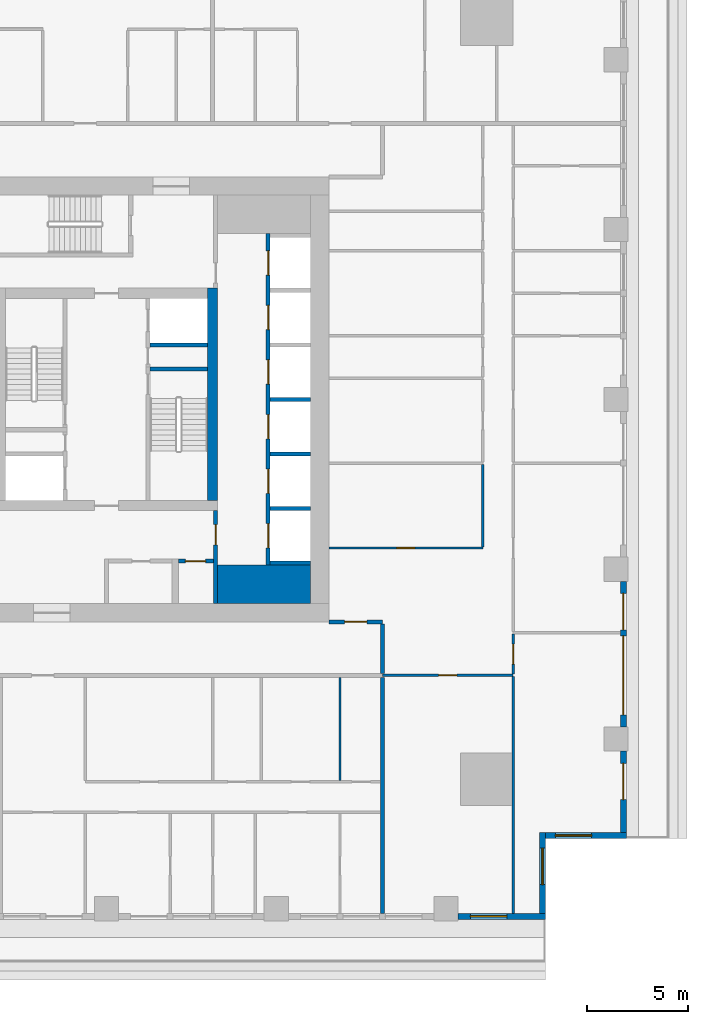
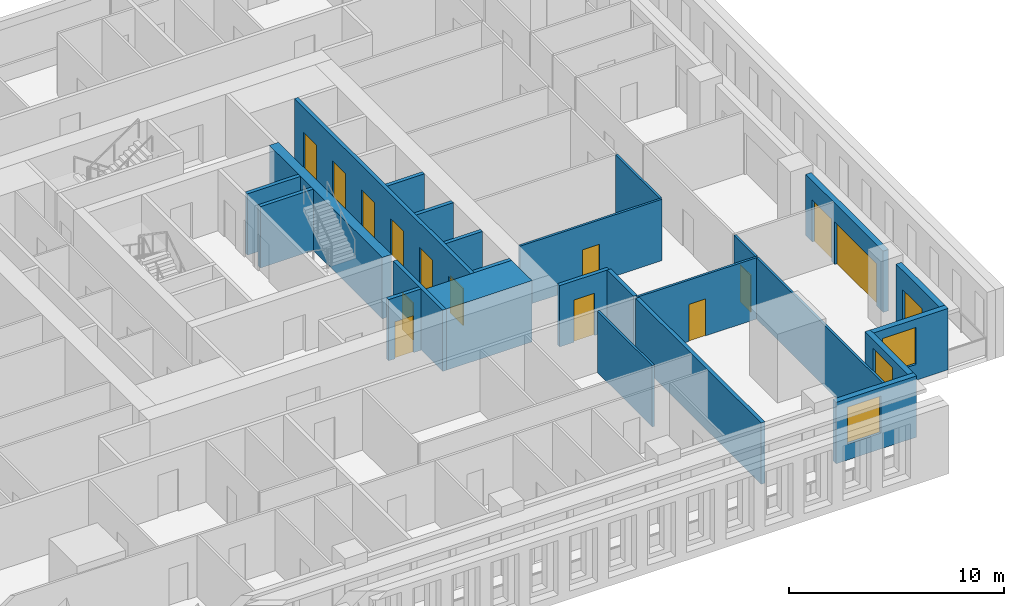
# One storey, part 5 of 15: 25 walls, 15 doors, 3 windows, 18 openings.
"""IFC4 building model written with IfcOpenShell, lengths in metres."""

import ifcopenshell
import ifcopenshell.guid

model = None  # the IFC model being written
_history = None  # IfcOwnerHistory: only IFC2X3 demands one
_inside = {}  # id of a spatial element -> (the spatial element, [elements in it])
_under = {}  # id of a project, library or spatial element -> (it, [spatial elements below it])
_declared = {}  # id of a project -> (the project, [libraries it declares])
_typed = {}  # id of a type object -> (the type object, [elements of that type])
_made_of = {}  # id of a material, layer set ... -> (it, [elements and type objects made of it])


def new_model(schema):
    """Start an empty IFC model of exactly this schema.

    Asked for "IFC4X3", IfcOpenShell would pick the latest addendum, in which some entities
    have other attributes; the version numbers below select the first issue.
    IFC2X3 requires an IfcOwnerHistory on every rooted entity: one is made here for all.
    """
    global model, _history
    if schema == "IFC4X3":
        model = ifcopenshell.file(schema_version=(4, 3, 0, 0))
    else:
        model = ifcopenshell.file(schema=schema)
    _inside.clear()
    _under.clear()
    _declared.clear()
    _typed.clear()
    _made_of.clear()
    _history = None
    if model.schema == "IFC2X3":
        org = make("IfcOrganization", Name="unknown")
        user = make(
            "IfcPersonAndOrganization",
            ThePerson=make("IfcPerson", FamilyName="unknown"),
            TheOrganization=org,
        )
        app = make(
            "IfcApplication",
            ApplicationDeveloper=org,
            Version="unknown",
            ApplicationFullName="unknown",
            ApplicationIdentifier="unknown",
        )
        _history = make(
            "IfcOwnerHistory",
            OwningUser=user,
            OwningApplication=app,
            ChangeAction="ADDED",
            CreationDate=0,
        )
    return model


def make(cls, **values):
    """One entity of the class cls with the attributes given. An attribute that is None is left unset."""
    return model.create_entity(
        cls, **{name: value for name, value in values.items() if value is not None}
    )


def rooted(cls, **values):
    """An entity with a GlobalId (a new one), such as an element, a storey or a relation."""
    return make(cls, GlobalId=ifcopenshell.guid.new(), OwnerHistory=_history, **values)


def si_unit(unit_type, name, prefix=None):
    """IfcSIUnit, for example si_unit("LENGTHUNIT", "METRE", prefix="MILLI")."""
    return make("IfcSIUnit", UnitType=unit_type, Prefix=prefix, Name=name)


def assignment(units):
    """IfcUnitAssignment: the units of a project."""
    return None if units is None else make("IfcUnitAssignment", Units=units)


def point(xyz):
    """IfcCartesianPoint."""
    return None if xyz is None else make("IfcCartesianPoint", Coordinates=xyz)


def direction(xyz):
    """IfcDirection."""
    return None if xyz is None else make("IfcDirection", DirectionRatios=xyz)


def frame(location, z_axis=None, x_axis=None):
    """IfcAxis2Placement3D, a coordinate frame: its origin and axes. An axis left out is left unset."""
    return make(
        "IfcAxis2Placement3D",
        Location=point(location),
        Axis=direction(z_axis),
        RefDirection=direction(x_axis),
    )


def frame_2d(location, x_axis=None):
    """IfcAxis2Placement2D, a coordinate frame in the plane: its origin and x axis."""
    return make(
        "IfcAxis2Placement2D", Location=point(location), RefDirection=direction(x_axis)
    )


def origin():
    """The frame at (0, 0, 0) with its axes left unset."""
    return frame((0.0, 0.0, 0.0))


def place(relative_to, where):
    """IfcLocalPlacement: puts the frame where relative to a parent placement (None: the world)."""
    return make(
        "IfcLocalPlacement", PlacementRelTo=relative_to, RelativePlacement=where
    )


def context(
    kind, dimensions, precision=None, world=None, true_north=None, identifier=None
):
    """IfcGeometricRepresentationContext, for example the 3D "Model" context."""
    return make(
        "IfcGeometricRepresentationContext",
        ContextIdentifier=identifier,
        ContextType=kind,
        CoordinateSpaceDimension=dimensions,
        Precision=precision,
        WorldCoordinateSystem=world,
        TrueNorth=true_north,
    )


def subcontext(parent, identifier, kind, view, scale=None):
    """IfcGeometricRepresentationSubContext, for example "Body" below "Model"."""
    return make(
        "IfcGeometricRepresentationSubContext",
        ContextIdentifier=identifier,
        ContextType=kind,
        ParentContext=parent,
        TargetScale=scale,
        TargetView=view,
    )


def project(units=None, contexts=None):
    """IfcProject with its units and contexts."""
    return rooted(
        "IfcProject",
        Name="project",
        RepresentationContexts=contexts,
        UnitsInContext=assignment(units),
    )


def spatial(cls, under=None, at=None, **own):
    """A site, building, storey or space (cls), placed at a placement, below another one or the project."""
    s = rooted(cls, ObjectPlacement=at, **own)
    if under is not None:
        _under.setdefault(under.id(), (under, []))[1].append(s)
    return s


def profile(cls, at=None, kind="AREA", **sizes):
    """A parametric profile (cls). Its sizes go by their IFC names, for example OverallWidth=200.0."""
    return make(cls, ProfileType=kind, Position=at, **sizes)


def rectangle(**sizes):
    """IfcRectangleProfileDef."""
    return profile("IfcRectangleProfileDef", **sizes)


def extrude(swept, where, along, depth):
    """IfcExtrudedAreaSolid: the profile swept, set in the frame where, extruded along a direction by depth."""
    return make(
        "IfcExtrudedAreaSolid",
        SweptArea=swept,
        Position=where,
        ExtrudedDirection=direction(along),
        Depth=depth,
    )


def shape(context_of_items, identifier, shape_type, items):
    """IfcShapeRepresentation: the items that make up one representation, for example the "Body"."""
    return make(
        "IfcShapeRepresentation",
        ContextOfItems=context_of_items,
        RepresentationIdentifier=identifier,
        RepresentationType=shape_type,
        Items=items,
    )


def material(Name=None, Category=None):
    """IfcMaterial."""
    return make("IfcMaterial", Name=Name, Category=Category)


def layer(
    of_material, thickness, ventilated=None, Name=None, Category=None, Priority=None
):
    """IfcMaterialLayer: one layer of a wall or slab, of a material (None: an air gap)."""
    return make(
        "IfcMaterialLayer",
        Material=of_material,
        LayerThickness=thickness,
        IsVentilated=ventilated,
        Name=Name,
        Category=Category,
        Priority=Priority,
    )


def layer_set(layers, Name=None):
    """IfcMaterialLayerSet."""
    return make("IfcMaterialLayerSet", MaterialLayers=layers, LayerSetName=Name)


def made_of(thing, what):
    """Note that an element or type object is made of a material, layer set ...; save() writes the relation."""
    if what is not None:
        _made_of.setdefault(what.id(), (what, []))[1].append(thing)
    return thing


def type_object(cls, material=None, **own):
    """A type object (cls), such as IfcWallType, which elements share."""
    return made_of(rooted(cls, **own), material)


def element(
    cls,
    number,
    at=None,
    inside=None,
    cuts=None,
    type_object=None,
    material=None,
    context=None,
    identifier="Body",
    shape_type=None,
    held_by="IfcProductDefinitionShape",
    body=None,
    shapes=None,
    **own,
):
    """One element of the class cls, such as IfcWall. Its Tag is "e" and its number.

    at: its placement. inside: the storey or other place that contains it. cuts: it is an
    opening in that element (IfcRelVoidsElement). A single representation is given by context,
    identifier, shape_type and body (its items); several are given by shapes. held_by: the class
    of the entity that holds the representations. save() writes the other relations.
    """
    e = rooted(cls, Tag="e%d" % number, ObjectPlacement=at, **own)
    if body is not None:
        shapes = [shape(context, identifier, shape_type, body)]
    if shapes is not None:
        e.Representation = make(held_by, Representations=shapes)
    if inside is not None:
        _inside.setdefault(inside.id(), (inside, []))[1].append(e)
    if cuts is not None:
        rooted(
            "IfcRelVoidsElement", RelatingBuildingElement=cuts, RelatedOpeningElement=e
        )
    if type_object is not None:
        _typed.setdefault(type_object.id(), (type_object, []))[1].append(e)
    return made_of(e, material)


def fill(opening, filler):
    """IfcRelFillsElement: the door or window that sits in an opening."""
    return rooted(
        "IfcRelFillsElement",
        RelatingOpeningElement=opening,
        RelatedBuildingElement=filler,
    )


def aggregate(whole, parts):
    """IfcRelAggregates: a whole, such as a stair, and the parts it consists of."""
    return rooted("IfcRelAggregates", RelatingObject=whole, RelatedObjects=parts)


def save(model, path):
    """Write the relations noted so far, then the file.

    IfcRelAggregates (storeys below a building ...), IfcRelContainedInSpatialStructure (elements
    in a storey), IfcRelDefinesByType, IfcRelAssociatesMaterial and IfcRelDeclares: one each for
    every whole, place, type object, material and project.
    """
    for whole, parts in _under.values():
        aggregate(whole, parts)
    for where, things in _inside.values():
        rooted(
            "IfcRelContainedInSpatialStructure",
            RelatedElements=things,
            RelatingStructure=where,
        )
    for kind, things in _typed.values():
        rooted("IfcRelDefinesByType", RelatedObjects=things, RelatingType=kind)
    for what, things in _made_of.values():
        rooted("IfcRelAssociatesMaterial", RelatedObjects=things, RelatingMaterial=what)
    for by, libraries in _declared.values():
        rooted("IfcRelDeclares", RelatingContext=by, RelatedDefinitions=libraries)
    model.write(path)


model = new_model("IFC4")

# Units and contexts
model_context = context("Model", 3, precision=1e-05, world=origin(), true_north=direction((0.0, 1.0)))
body_context = subcontext(model_context, "Body", "Model", "MODEL_VIEW")
ifc_project = project(units=[si_unit("LENGTHUNIT", "METRE"), si_unit("AREAUNIT", "SQUARE_METRE"), si_unit("VOLUMEUNIT", "CUBIC_METRE"), si_unit("PLANEANGLEUNIT", "RADIAN"), si_unit("MASSUNIT", "GRAM", prefix="KILO")], contexts=[model_context])

# Site, building, storey
site_placement = place(None, origin())
site = spatial("IfcSite", under=ifc_project, at=site_placement, CompositionType="ELEMENT")
building_placement = place(site_placement, origin())
building = spatial("IfcBuilding", under=site, at=building_placement, Name="Khepri Terraces", CompositionType="ELEMENT")
storey_placement = place(building_placement, frame((0.0, 0.0, 161.10009765625)))
storey = spatial("IfcBuildingStorey", under=building, at=storey_placement, Name="L38", CompositionType="ELEMENT", Elevation=161.10009765625)

# Walls
ifc_material_1 = material(Name="Concrete C60/75", Category="concrete")
ifc_layer_1 = layer(ifc_material_1, 1.89990234375, Name="Concrete C60/75", Category="concrete")
ifc_layer_set_1 = layer_set([ifc_layer_1], Name="Concrete C60/75")
wall_type_1 = type_object("IfcWallType", Name="Core wall 1900 C60/75", PredefinedType="SHEAR", material=ifc_layer_set_1)
wall_1_placement = place(storey_placement, frame((5.5, -9.14990234375, 0.0), z_axis=(0.0, 0.0, 1.0), x_axis=(1.0, 0.0, 0.0)))
element("IfcWall", 1, at=wall_1_placement, inside=storey, type_object=wall_type_1, Name="Core wall PR02 L38", PredefinedType="SHEAR", context=body_context, shape_type="SweptSolid", body=[
    extrude(rectangle(XDim=4.60009765625, YDim=1.89990234375, at=frame_2d((2.300048828125, 0.0))), origin(), (0.0, 0.0, 1.0), 3.47998046875),
])
ifc_layer_2 = layer(ifc_material_1, 0.199951171875, Name="Concrete C60/75", Category="concrete")
ifc_layer_set_2 = layer_set([ifc_layer_2], Name="Concrete C60/75")
wall_type_2 = type_object("IfcWallType", Name="Core wall 200 C60/75", PredefinedType="SHEAR", material=ifc_layer_set_2)
wall_2_placement = place(storey_placement, frame((2.14990234375, 1.5, 0.0), z_axis=(0.0, 0.0, 1.0), x_axis=(1.0, 0.0, 0.0)))
element("IfcWall", 2, at=wall_2_placement, inside=storey, type_object=wall_type_2, Name="Core wall ST04 L38", PredefinedType="SHEAR", context=body_context, shape_type="SweptSolid", body=[
    extrude(rectangle(XDim=2.85009765625, YDim=0.199951171875, at=frame_2d((1.425048828125, 0.0))), origin(), (0.0, 0.0, 1.0), 3.47998046875),
])

# Wall, openings, doors
wall_3_placement = place(storey_placement, frame((8.0, -8.199951171875, 0.0), z_axis=(0.0, 0.0, 1.0), x_axis=(0.0, 1.0, 0.0)))
wall_3 = element("IfcWall", 3, at=wall_3_placement, inside=storey, type_object=wall_type_2, Name="Core wall SH02 L38", PredefinedType="SHEAR", context=body_context, shape_type="SweptSolid", body=[
    extrude(rectangle(XDim=16.39990234375, YDim=0.199951171875, at=frame_2d((8.199951171875, 0.0))), origin(), (0.0, 0.0, 1.0), 3.47998046875),
])
opening_1_placement = place(wall_3_placement, frame((0.85009765625, 0.0, 0.0)))
opening_1 = element("IfcOpeningElement", 4, at=opening_1_placement, cuts=wall_3, Name="Opening L38-C01", PredefinedType="OPENING", context=body_context, shape_type="SweptSolid", body=[
    extrude(rectangle(XDim=1.199951171875, YDim=2.10009765625, at=frame_2d((0.60009765625, 1.050048828125))), frame((0.0, 0.10986328125, 0.0), z_axis=(0.0, -1.0, 0.0), x_axis=(1.0, 0.0, 0.0)), (0.0, 0.0, 1.0), 0.219970703125),
])
opening_2_placement = place(wall_3_placement, frame((3.550048828125, 0.0, 0.0)))
opening_2 = element("IfcOpeningElement", 5, at=opening_2_placement, cuts=wall_3, Name="Opening L38-C02", PredefinedType="OPENING", context=body_context, shape_type="SweptSolid", body=[
    extrude(rectangle(XDim=1.199951171875, YDim=2.10009765625, at=frame_2d((0.60009765625, 1.050048828125))), frame((0.0, 0.10986328125, 0.0), z_axis=(0.0, -1.0, 0.0), x_axis=(1.0, 0.0, 0.0)), (0.0, 0.0, 1.0), 0.219970703125),
])
opening_3_placement = place(wall_3_placement, frame((6.25, 0.0, 0.0)))
opening_3 = element("IfcOpeningElement", 6, at=opening_3_placement, cuts=wall_3, Name="Opening L38-C03", PredefinedType="OPENING", context=body_context, shape_type="SweptSolid", body=[
    extrude(rectangle(XDim=1.199951171875, YDim=2.10009765625, at=frame_2d((0.60009765625, 1.050048828125))), frame((0.0, 0.10986328125, 0.0), z_axis=(0.0, -1.0, 0.0), x_axis=(1.0, 0.0, 0.0)), (0.0, 0.0, 1.0), 0.219970703125),
])
opening_4_placement = place(wall_3_placement, frame((8.949951171875, 0.0, 0.0)))
opening_4 = element("IfcOpeningElement", 7, at=opening_4_placement, cuts=wall_3, Name="Opening L38-C04", PredefinedType="OPENING", context=body_context, shape_type="SweptSolid", body=[
    extrude(rectangle(XDim=1.199951171875, YDim=2.10009765625, at=frame_2d((0.60009765625, 1.050048828125))), frame((0.0, 0.10986328125, 0.0), z_axis=(0.0, -1.0, 0.0), x_axis=(1.0, 0.0, 0.0)), (0.0, 0.0, 1.0), 0.219970703125),
])
opening_5_placement = place(wall_3_placement, frame((11.64990234375, 0.0, 0.0)))
opening_5 = element("IfcOpeningElement", 8, at=opening_5_placement, cuts=wall_3, Name="Opening L38-C05", PredefinedType="OPENING", context=body_context, shape_type="SweptSolid", body=[
    extrude(rectangle(XDim=1.199951171875, YDim=2.10009765625, at=frame_2d((0.60009765625, 1.050048828125))), frame((0.0, 0.10986328125, 0.0), z_axis=(0.0, -1.0, 0.0), x_axis=(1.0, 0.0, 0.0)), (0.0, 0.0, 1.0), 0.219970703125),
])
opening_6_placement = place(wall_3_placement, frame((14.35009765625, 0.0, 0.0)))
opening_6 = element("IfcOpeningElement", 9, at=opening_6_placement, cuts=wall_3, Name="Opening L38-C06", PredefinedType="OPENING", context=body_context, shape_type="SweptSolid", body=[
    extrude(rectangle(XDim=1.199951171875, YDim=2.10009765625, at=frame_2d((0.60009765625, 1.050048828125))), frame((0.0, 0.10986328125, 0.0), z_axis=(0.0, -1.0, 0.0), x_axis=(1.0, 0.0, 0.0)), (0.0, 0.0, 1.0), 0.219970703125),
])
ifc_material_2 = material(Name="Stainless steel 304", Category="steel")
door_type_1 = type_object("IfcDoorType", Name="DR-CORE-LANDING-1200", OperationType="NOTDEFINED", PredefinedType="DOOR", material=ifc_material_2)
door_1_placement = place(opening_1_placement, origin())
door_1 = element("IfcDoor", 10, at=door_1_placement, inside=storey, type_object=door_type_1, Name="Lift landing door L38-C01", OperationType="SLIDING_TO_LEFT", OverallHeight=2.10009765625, OverallWidth=1.199951171875, PredefinedType="DOOR", context=body_context, shape_type="SweptSolid", body=[
    extrude(rectangle(XDim=1.199951171875, YDim=2.10009765625, at=frame_2d((0.60009765625, 1.050048828125))), frame((0.0, 0.02490234375, 0.0), z_axis=(0.0, -1.0, 0.0), x_axis=(1.0, 0.0, 0.0)), (0.0, 0.0, 1.0), 0.050048828125),
])
fill(opening_1, door_1)
door_2_placement = place(opening_2_placement, origin())
door_2 = element("IfcDoor", 11, at=door_2_placement, inside=storey, type_object=door_type_1, Name="Lift landing door L38-C02", OperationType="SLIDING_TO_LEFT", OverallHeight=2.10009765625, OverallWidth=1.199951171875, PredefinedType="DOOR", context=body_context, shape_type="SweptSolid", body=[
    extrude(rectangle(XDim=1.199951171875, YDim=2.10009765625, at=frame_2d((0.60009765625, 1.050048828125))), frame((0.0, 0.02490234375, 0.0), z_axis=(0.0, -1.0, 0.0), x_axis=(1.0, 0.0, 0.0)), (0.0, 0.0, 1.0), 0.050048828125),
])
fill(opening_2, door_2)
door_3_placement = place(opening_3_placement, origin())
door_3 = element("IfcDoor", 12, at=door_3_placement, inside=storey, type_object=door_type_1, Name="Lift landing door L38-C03", OperationType="SLIDING_TO_LEFT", OverallHeight=2.10009765625, OverallWidth=1.199951171875, PredefinedType="DOOR", context=body_context, shape_type="SweptSolid", body=[
    extrude(rectangle(XDim=1.199951171875, YDim=2.10009765625, at=frame_2d((0.60009765625, 1.050048828125))), frame((0.0, 0.02490234375, 0.0), z_axis=(0.0, -1.0, 0.0), x_axis=(1.0, 0.0, 0.0)), (0.0, 0.0, 1.0), 0.050048828125),
])
fill(opening_3, door_3)
door_4_placement = place(opening_4_placement, origin())
door_4 = element("IfcDoor", 13, at=door_4_placement, inside=storey, type_object=door_type_1, Name="Lift landing door L38-C04", OperationType="SLIDING_TO_LEFT", OverallHeight=2.10009765625, OverallWidth=1.199951171875, PredefinedType="DOOR", context=body_context, shape_type="SweptSolid", body=[
    extrude(rectangle(XDim=1.199951171875, YDim=2.10009765625, at=frame_2d((0.60009765625, 1.050048828125))), frame((0.0, 0.02490234375, 0.0), z_axis=(0.0, -1.0, 0.0), x_axis=(1.0, 0.0, 0.0)), (0.0, 0.0, 1.0), 0.050048828125),
])
fill(opening_4, door_4)
door_5_placement = place(opening_5_placement, origin())
door_5 = element("IfcDoor", 14, at=door_5_placement, inside=storey, type_object=door_type_1, Name="Lift landing door L38-C05", OperationType="SLIDING_TO_LEFT", OverallHeight=2.10009765625, OverallWidth=1.199951171875, PredefinedType="DOOR", context=body_context, shape_type="SweptSolid", body=[
    extrude(rectangle(XDim=1.199951171875, YDim=2.10009765625, at=frame_2d((0.60009765625, 1.050048828125))), frame((0.0, 0.02490234375, 0.0), z_axis=(0.0, -1.0, 0.0), x_axis=(1.0, 0.0, 0.0)), (0.0, 0.0, 1.0), 0.050048828125),
])
fill(opening_5, door_5)
door_6_placement = place(opening_6_placement, origin())
door_6 = element("IfcDoor", 15, at=door_6_placement, inside=storey, type_object=door_type_1, Name="Lift landing door L38-C06", OperationType="SLIDING_TO_LEFT", OverallHeight=2.10009765625, OverallWidth=1.199951171875, PredefinedType="DOOR", context=body_context, shape_type="SweptSolid", body=[
    extrude(rectangle(XDim=1.199951171875, YDim=2.10009765625, at=frame_2d((0.60009765625, 1.050048828125))), frame((0.0, 0.02490234375, 0.0), z_axis=(0.0, -1.0, 0.0), x_axis=(1.0, 0.0, 0.0)), (0.0, 0.0, 1.0), 0.050048828125),
])
fill(opening_6, door_6)

# Walls
for number, where, z_axis, x_axis, name in (
    (16, (8.10009765625, -8.10009765625, 0.0), (0.0, 0.0, 1.0), (1.0, 0.0, 0.0), "Core wall SH03 L38"),
    (17, (8.10009765625, -5.39990234375, 0.0), (0.0, 0.0, 1.0), (1.0, 0.0, 0.0), "Core wall SH04 L38"),
    (18, (8.10009765625, -2.699951171875, 0.0), (0.0, 0.0, 1.0), (1.0, 0.0, 0.0), "Core wall SH08 L38"),
    (19, (8.10009765625, 0.0, 0.0), (0.0, 0.0, 1.0), (1.0, 0.0, 0.0), "Core wall SH09 L38"),
):
    element("IfcWall", number, at=place(storey_placement, frame(where, z_axis=z_axis, x_axis=x_axis)), inside=storey, type_object=wall_type_2, Name=name, PredefinedType="SHEAR", context=body_context, shape_type="SweptSolid", body=[
        extrude(rectangle(XDim=2.0, YDim=0.199951171875, at=frame_2d((1.0, 0.0))), origin(), (0.0, 0.0, 1.0), 3.47998046875),
    ])
wall_4_placement = place(storey_placement, frame((2.14990234375, 2.699951171875, 0.0), z_axis=(0.0, 0.0, 1.0), x_axis=(1.0, 0.0, 0.0)))
element("IfcWall", 20, at=wall_4_placement, inside=storey, type_object=wall_type_2, Name="Core wall SH12 L38", PredefinedType="SHEAR", context=body_context, shape_type="SweptSolid", body=[
    extrude(rectangle(XDim=2.85009765625, YDim=0.199951171875, at=frame_2d((1.425048828125, 0.0))), origin(), (0.0, 0.0, 1.0), 3.47998046875),
])
ifc_layer_3 = layer(ifc_material_1, 0.5, Name="Concrete C60/75", Category="concrete")
ifc_layer_set_3 = layer_set([ifc_layer_3], Name="Concrete C60/75")
wall_type_3 = type_object("IfcWallType", Name="Core wall 500 C60/75", PredefinedType="SHEAR", material=ifc_layer_set_3)
wall_5_placement = place(storey_placement, frame((5.25, -5.0, 0.0), z_axis=(0.0, 0.0, 1.0), x_axis=(0.0, 1.0, 0.0)))
element("IfcWall", 21, at=wall_5_placement, inside=storey, type_object=wall_type_3, Name="Core wall BX03 L38", PredefinedType="SHEAR", context=body_context, shape_type="SweptSolid", body=[
    extrude(rectangle(XDim=10.5, YDim=0.5, at=frame_2d((5.25, 0.0))), origin(), (0.0, 0.0, 1.0), 3.47998046875),
])

# Wall, opening, door
ifc_material_3 = material(Name="Fire-rated gypsum board partition")
ifc_layer_4 = layer(ifc_material_3, 0.199951171875, Name="Fire-rated gypsum board partition")
ifc_layer_set_4 = layer_set([ifc_layer_4], Name="Fire-rated gypsum board partition")
wall_type_4 = type_object("IfcWallType", Name="WL-CORE-PART-200", PredefinedType="PARTITIONING", material=ifc_layer_set_4)
wall_6_placement = place(storey_placement, frame((5.39990234375, -10.10009765625, 0.0), z_axis=(0.0, 0.0, 1.0), x_axis=(0.0, 1.0, 0.0)))
wall_6 = element("IfcWall", 22, at=wall_6_placement, inside=storey, type_object=wall_type_4, Name="Core partition PT04 L38", PredefinedType="PARTITIONING", context=body_context, shape_type="SweptSolid", body=[
    extrude(rectangle(XDim=4.60009765625, YDim=0.199951171875, at=frame_2d((2.300048828125, 0.0))), origin(), (0.0, 0.0, 1.0), 3.47998046875),
])
opening_7_placement = place(wall_6_placement, frame((2.89990234375, 0.0, 0.0)))
opening_7 = element("IfcOpeningElement", 23, at=opening_7_placement, cuts=wall_6, Name="Opening L38-C19", PredefinedType="OPENING", context=body_context, shape_type="SweptSolid", body=[
    extrude(rectangle(XDim=1.0, YDim=2.10009765625, at=frame_2d((0.5, 1.050048828125))), frame((0.0, 0.10986328125, 0.0), z_axis=(0.0, -1.0, 0.0), x_axis=(1.0, 0.0, 0.0)), (0.0, 0.0, 1.0), 0.219970703125),
])
ifc_material_4 = material(Name="Painted steel", Category="steel")
door_type_2 = type_object("IfcDoorType", Name="DR-CORE-LOBBY-1000", OperationType="NOTDEFINED", PredefinedType="DOOR", material=ifc_material_4)
door_7_placement = place(opening_7_placement, origin())
door_7 = element("IfcDoor", 24, at=door_7_placement, inside=storey, type_object=door_type_2, Name="Lobby door L38-C19", OperationType="SINGLE_SWING_RIGHT", OverallHeight=2.10009765625, OverallWidth=1.0, PredefinedType="DOOR", context=body_context, shape_type="SweptSolid", body=[
    extrude(rectangle(XDim=1.0, YDim=2.10009765625, at=frame_2d((0.5, 1.050048828125))), frame((0.0, 0.02490234375, 0.0), z_axis=(0.0, -1.0, 0.0), x_axis=(1.0, 0.0, 0.0)), (0.0, 0.0, 1.0), 0.050048828125),
])
fill(opening_7, door_7)

wall_7_placement = place(storey_placement, frame((3.550048828125, -8.0, 0.0), z_axis=(0.0, 0.0, 1.0), x_axis=(1.0, 0.0, 0.0)))
wall_7 = element("IfcWall", 25, at=wall_7_placement, inside=storey, type_object=wall_type_4, Name="Core partition PT07 L38", PredefinedType="PARTITIONING", context=body_context, shape_type="SweptSolid", body=[
    extrude(rectangle(XDim=1.75, YDim=0.199951171875, at=frame_2d((0.875, 0.0))), origin(), (0.0, 0.0, 1.0), 3.47998046875),
])
opening_8_placement = place(wall_7_placement, frame((0.35009765625, 0.0, 0.0)))
opening_8 = element("IfcOpeningElement", 26, at=opening_8_placement, cuts=wall_7, Name="Opening L38-C23", PredefinedType="OPENING", context=body_context, shape_type="SweptSolid", body=[
    extrude(rectangle(XDim=1.0, YDim=2.10009765625, at=frame_2d((0.5, 1.050048828125))), frame((0.0, 0.10986328125, 0.0), z_axis=(0.0, -1.0, 0.0), x_axis=(1.0, 0.0, 0.0)), (0.0, 0.0, 1.0), 0.219970703125),
])
ifc_material_5 = material(Name="Timber veneer", Category="wood")
door_type_3 = type_object("IfcDoorType", Name="DR-CORE-WC-1000", OperationType="NOTDEFINED", PredefinedType="DOOR", material=ifc_material_5)
door_8_placement = place(opening_8_placement, frame((1.0, 0.0, 0.0), z_axis=(0.0, 0.0, 1.0), x_axis=(-1.0, 0.0, 0.0)))
door_8 = element("IfcDoor", 27, at=door_8_placement, inside=storey, type_object=door_type_3, Name="WC door L38-C23", OperationType="SINGLE_SWING_RIGHT", OverallHeight=2.10009765625, OverallWidth=1.0, PredefinedType="DOOR", context=body_context, shape_type="SweptSolid", body=[
    extrude(rectangle(XDim=1.0, YDim=2.10009765625, at=frame_2d((0.5, 1.050048828125))), frame((0.0, 0.02490234375, 0.0), z_axis=(0.0, -1.0, 0.0), x_axis=(1.0, 0.0, 0.0)), (0.0, 0.0, 1.0), 0.050048828125),
])
fill(opening_8, door_8)

# Walls
ifc_material_6 = material(Name="Fire-rated gypsum plasterboard partition, mineral wool")
ifc_layer_5 = layer(ifc_material_6, 0.199951171875, Name="Fire-rated gypsum plasterboard partition, mineral wool")
ifc_layer_set_5 = layer_set([ifc_layer_5], Name="Fire-rated gypsum plasterboard partition, mineral wool")
wall_type_5 = type_object("IfcWallType", Name="WL-CORR-200", PredefinedType="PARTITIONING", material=ifc_layer_set_5)
wall_8_placement = place(storey_placement, frame((13.64990234375, -25.419921875, 0.0), z_axis=(0.0, 0.0, 1.0), x_axis=(0.0, 1.0, 0.0)))
element("IfcWall", 28, at=wall_8_placement, inside=storey, type_object=wall_type_5, Name="Partition P-010 L38", PredefinedType="PARTITIONING", context=body_context, shape_type="SweptSolid", body=[
    extrude(rectangle(XDim=11.669921875, YDim=0.199951171875, at=frame_2d((5.8349609375, 0.0))), origin(), (0.0, 0.0, 1.0), 3.47998046875),
])
wall_9_placement = place(storey_placement, frame((13.64990234375, -13.550048828125, 0.0), z_axis=(0.0, 0.0, 1.0), x_axis=(0.0, 1.0, 0.0)))
element("IfcWall", 29, at=wall_9_placement, inside=storey, type_object=wall_type_5, Name="Partition P-029 L38", PredefinedType="PARTITIONING", context=body_context, shape_type="SweptSolid", body=[
    extrude(rectangle(XDim=2.449951171875, YDim=0.199951171875, at=frame_2d((1.22509765625, 0.0))), origin(), (0.0, 0.0, 1.0), 3.47998046875),
])

# Wall, opening, door
wall_10_placement = place(storey_placement, frame((11.0, -11.0, 0.0), z_axis=(0.0, 0.0, 1.0), x_axis=(1.0, 0.0, 0.0)))
wall_10 = element("IfcWall", 30, at=wall_10_placement, inside=storey, type_object=wall_type_5, Name="Partition P-035 L38", PredefinedType="PARTITIONING", context=body_context, shape_type="SweptSolid", body=[
    extrude(rectangle(XDim=2.64990234375, YDim=0.199951171875, at=frame_2d((1.324951171875, 0.0))), origin(), (0.0, 0.0, 1.0), 3.47998046875),
])
opening_9_placement = place(wall_10_placement, frame((0.77490234375, 0.0, 0.0)))
opening_9 = element("IfcOpeningElement", 31, at=opening_9_placement, cuts=wall_10, Name="Opening D1", PredefinedType="OPENING", context=body_context, shape_type="SweptSolid", body=[
    extrude(rectangle(XDim=1.10009765625, YDim=2.39990234375, at=frame_2d((0.550048828125, 1.199951171875))), frame((0.0, 0.10986328125, 0.0), z_axis=(0.0, -1.0, 0.0), x_axis=(1.0, 0.0, 0.0)), (0.0, 0.0, 1.0), 0.219970703125),
])
ifc_material_7 = material(Name="Solid-core timber door leaf, flat entrance door", Category="wood")
door_type_4 = type_object("IfcDoorType", Name="DR-ENT-1100", OperationType="NOTDEFINED", PredefinedType="DOOR", material=ifc_material_7)
door_9_placement = place(opening_9_placement, origin())
door_9 = element("IfcDoor", 32, at=door_9_placement, inside=storey, type_object=door_type_4, Name="Flat B1 entrance door", OperationType="SINGLE_SWING_LEFT", OverallHeight=2.39990234375, OverallWidth=1.10009765625, PredefinedType="DOOR", context=body_context, shape_type="SweptSolid", body=[
    extrude(rectangle(XDim=1.10009765625, YDim=2.39990234375, at=frame_2d((0.550048828125, 1.199951171875))), frame((0.0, 0.02490234375, 0.0), z_axis=(0.0, -1.0, 0.0), x_axis=(1.0, 0.0, 0.0)), (0.0, 0.0, 1.0), 0.050048828125),
])
fill(opening_9, door_9)

# Wall, opening, window
ifc_material_8 = material(Name="Precast concrete C50/60 warm stone", Category="masonry")
ifc_layer_6 = layer(ifc_material_8, 0.300048828125, Name="Precast concrete C50/60 warm stone", Category="masonry")
ifc_layer_set_6 = layer_set([ifc_layer_6], Name="Precast concrete C50/60 warm stone")
wall_type_6 = type_object("IfcWallType", Name="WL-EXT-PRECAST-300", PredefinedType="STANDARD", material=ifc_layer_set_6)
wall_11_placement = place(storey_placement, frame((21.719970703125, -21.570068359375, 0.0), z_axis=(0.0, 0.0, 1.0), x_axis=(1.0, 0.0, 0.0)))
wall_11 = element("IfcWall", 33, at=wall_11_placement, inside=storey, type_object=wall_type_6, Name="External wall L38 S", PredefinedType="STANDARD", context=body_context, shape_type="SweptSolid", body=[
    extrude(rectangle(XDim=4.0, YDim=0.300048828125, at=frame_2d((2.0, 0.0))), origin(), (0.0, 0.0, 1.0), 3.47998046875),
])
opening_10_placement = place(wall_11_placement, frame((0.47998046875, 0.0, 0.89990234375)))
opening_10 = element("IfcOpeningElement", 34, at=opening_10_placement, cuts=wall_11, Name="Opening W1", PredefinedType="OPENING", context=body_context, shape_type="SweptSolid", body=[
    extrude(rectangle(XDim=1.800048828125, YDim=2.10009765625, at=frame_2d((0.89990234375, 1.050048828125))), frame((0.0, 0.16015625, 0.0), z_axis=(0.0, -1.0, 0.0), x_axis=(1.0, 0.0, 0.0)), (0.0, 0.0, 1.0), 0.320068359375),
])
ifc_material_9 = material(Name="Clear glass", Category="glass")
window_type = type_object("IfcWindowType", Name="WIN-RES-1800x2100", PartitioningType="SINGLE_PANEL", PredefinedType="WINDOW", material=ifc_material_9)
window_1_placement = place(opening_10_placement, origin())
window_1 = element("IfcWindow", 35, at=window_1_placement, inside=storey, type_object=window_type, Name="Window L38 S", OverallHeight=2.10009765625, OverallWidth=1.800048828125, PartitioningType="SINGLE_PANEL", PredefinedType="WINDOW", context=body_context, shape_type="SweptSolid", body=[
    extrude(rectangle(XDim=1.800048828125, YDim=2.10009765625, at=frame_2d((0.89990234375, 1.050048828125))), frame((0.0, 0.030029296875, 0.0), z_axis=(0.0, -1.0, 0.0), x_axis=(1.0, 0.0, 0.0)), (0.0, 0.0, 1.0), 0.06005859375),
])
fill(opening_10, window_1)

# Wall, opening, door
wall_12_placement = place(storey_placement, frame((25.570068359375, -21.419921875, 0.0), z_axis=(0.0, 0.0, 1.0), x_axis=(0.0, 1.0, 0.0)))
wall_12 = element("IfcWall", 36, at=wall_12_placement, inside=storey, type_object=wall_type_6, Name="External wall L38 E", PredefinedType="STANDARD", context=body_context, shape_type="SweptSolid", body=[
    extrude(rectangle(XDim=4.02001953125, YDim=0.300048828125, at=frame_2d((2.010009765625, 0.0))), origin(), (0.0, 0.0, 1.0), 3.47998046875),
])
opening_11_placement = place(wall_12_placement, frame((1.6201171875, 0.0, 0.0)))
opening_11 = element("IfcOpeningElement", 37, at=opening_11_placement, cuts=wall_12, Name="Opening ED-L38-01", PredefinedType="OPENING", context=body_context, shape_type="SweptSolid", body=[
    extrude(rectangle(XDim=1.800048828125, YDim=2.39990234375, at=frame_2d((0.89990234375, 1.199951171875))), frame((0.0, 0.16015625, 0.0), z_axis=(0.0, -1.0, 0.0), x_axis=(1.0, 0.0, 0.0)), (0.0, 0.0, 1.0), 0.320068359375),
])
ifc_material_10 = material(Name="Anodised aluminium bronze glazed door", Category="aluminium")
door_type_5 = type_object("IfcDoorType", Name="DR-BAL-SLIDE-1800x2400", OperationType="NOTDEFINED", PredefinedType="DOOR", material=ifc_material_10)
door_10_placement = place(opening_11_placement, origin())
door_10 = element("IfcDoor", 38, at=door_10_placement, inside=storey, type_object=door_type_5, Name="Balcony door L38 E", OperationType="SLIDING_TO_RIGHT", OverallHeight=2.39990234375, OverallWidth=1.800048828125, PredefinedType="DOOR", context=body_context, shape_type="SweptSolid", body=[
    extrude(rectangle(XDim=1.800048828125, YDim=2.39990234375, at=frame_2d((0.89990234375, 1.199951171875))), frame((0.0, 0.02490234375, 0.0), z_axis=(0.0, -1.0, 0.0), x_axis=(1.0, 0.0, 0.0)), (0.0, 0.0, 1.0), 0.050048828125),
])
fill(opening_11, door_10)

# Wall, openings, doors
wall_13_placement = place(storey_placement, frame((25.570068359375, -16.199951171875, 0.0), z_axis=(0.0, 0.0, 1.0), x_axis=(0.0, 1.0, 0.0)))
wall_13 = element("IfcWall", 39, at=wall_13_placement, inside=storey, type_object=wall_type_6, Name="External wall L38 E", PredefinedType="STANDARD", context=body_context, shape_type="SweptSolid", body=[
    extrude(rectangle(XDim=7.199951171875, YDim=0.300048828125, at=frame_2d((3.60009765625, 0.0))), origin(), (0.0, 0.0, 1.0), 3.47998046875),
])
opening_12_placement = place(wall_13_placement, frame((0.60009765625, 0.0, 0.0)))
opening_12 = element("IfcOpeningElement", 40, at=opening_12_placement, cuts=wall_13, Name="Opening ED-L38-02", PredefinedType="OPENING", context=body_context, shape_type="SweptSolid", body=[
    extrude(rectangle(XDim=3.89990234375, YDim=2.39990234375, at=frame_2d((1.949951171875, 1.199951171875))), frame((0.0, 0.16015625, 0.0), z_axis=(0.0, -1.0, 0.0), x_axis=(1.0, 0.0, 0.0)), (0.0, 0.0, 1.0), 0.320068359375),
])
opening_13_placement = place(wall_13_placement, frame((4.800048828125, 0.0, 0.0)))
opening_13 = element("IfcOpeningElement", 41, at=opening_13_placement, cuts=wall_13, Name="Opening ED-L38-03", PredefinedType="OPENING", context=body_context, shape_type="SweptSolid", body=[
    extrude(rectangle(XDim=1.800048828125, YDim=2.39990234375, at=frame_2d((0.89990234375, 1.199951171875))), frame((0.0, 0.16015625, 0.0), z_axis=(0.0, -1.0, 0.0), x_axis=(1.0, 0.0, 0.0)), (0.0, 0.0, 1.0), 0.320068359375),
])
door_11_placement = place(opening_13_placement, origin())
door_11 = element("IfcDoor", 42, at=door_11_placement, inside=storey, type_object=door_type_5, Name="Balcony door L38 E", OperationType="SLIDING_TO_RIGHT", OverallHeight=2.39990234375, OverallWidth=1.800048828125, PredefinedType="DOOR", context=body_context, shape_type="SweptSolid", body=[
    extrude(rectangle(XDim=1.800048828125, YDim=2.39990234375, at=frame_2d((0.89990234375, 1.199951171875))), frame((0.0, 0.02490234375, 0.0), z_axis=(0.0, -1.0, 0.0), x_axis=(1.0, 0.0, 0.0)), (0.0, 0.0, 1.0), 0.050048828125),
])
fill(opening_13, door_11)
door_type_6 = type_object("IfcDoorType", Name="DR-BAL-SLIDE-3900x2400", OperationType="NOTDEFINED", PredefinedType="DOOR", material=ifc_material_10)
door_12_placement = place(opening_12_placement, origin())
door_12 = element("IfcDoor", 43, at=door_12_placement, inside=storey, type_object=door_type_6, Name="Balcony door L38 E", OperationType="SLIDING_TO_LEFT", OverallHeight=2.39990234375, OverallWidth=3.89990234375, PredefinedType="DOOR", context=body_context, shape_type="SweptSolid", body=[
    extrude(rectangle(XDim=3.89990234375, YDim=2.39990234375, at=frame_2d((1.949951171875, 1.199951171875))), frame((0.0, 0.02490234375, 0.0), z_axis=(0.0, -1.0, 0.0), x_axis=(1.0, 0.0, 0.0)), (0.0, 0.0, 1.0), 0.050048828125),
])
fill(opening_12, door_12)

# Wall, opening, window
wall_14_placement = place(storey_placement, frame((17.39990234375, -25.570068359375, 0.0), z_axis=(0.0, 0.0, 1.0), x_axis=(1.0, 0.0, 0.0)))
wall_14 = element("IfcWall", 44, at=wall_14_placement, inside=storey, type_object=wall_type_6, Name="External wall L38 S", PredefinedType="STANDARD", context=body_context, shape_type="SweptSolid", body=[
    extrude(rectangle(XDim=4.320068359375, YDim=0.300048828125, at=frame_2d((2.16015625, 0.0))), origin(), (0.0, 0.0, 1.0), 3.47998046875),
])
opening_14_placement = place(wall_14_placement, frame((0.60009765625, 0.0, 0.89990234375)))
opening_14 = element("IfcOpeningElement", 45, at=opening_14_placement, cuts=wall_14, Name="Opening W1", PredefinedType="OPENING", context=body_context, shape_type="SweptSolid", body=[
    extrude(rectangle(XDim=1.800048828125, YDim=2.10009765625, at=frame_2d((0.89990234375, 1.050048828125))), frame((0.0, 0.16015625, 0.0), z_axis=(0.0, -1.0, 0.0), x_axis=(1.0, 0.0, 0.0)), (0.0, 0.0, 1.0), 0.320068359375),
])
window_2_placement = place(opening_14_placement, origin())
window_2 = element("IfcWindow", 46, at=window_2_placement, inside=storey, type_object=window_type, Name="Window L38 S", OverallHeight=2.10009765625, OverallWidth=1.800048828125, PartitioningType="SINGLE_PANEL", PredefinedType="WINDOW", context=body_context, shape_type="SweptSolid", body=[
    extrude(rectangle(XDim=1.800048828125, YDim=2.10009765625, at=frame_2d((0.89990234375, 1.050048828125))), frame((0.0, 0.030029296875, 0.0), z_axis=(0.0, -1.0, 0.0), x_axis=(1.0, 0.0, 0.0)), (0.0, 0.0, 1.0), 0.06005859375),
])
fill(opening_14, window_2)

wall_15_placement = place(storey_placement, frame((21.570068359375, -25.419921875, 0.0), z_axis=(0.0, 0.0, 1.0), x_axis=(0.0, 1.0, 0.0)))
wall_15 = element("IfcWall", 47, at=wall_15_placement, inside=storey, type_object=wall_type_6, Name="External wall L38 E", PredefinedType="STANDARD", context=body_context, shape_type="SweptSolid", body=[
    extrude(rectangle(XDim=4.0, YDim=0.300048828125, at=frame_2d((2.0, 0.0))), origin(), (0.0, 0.0, 1.0), 3.47998046875),
])
opening_15_placement = place(wall_15_placement, frame((1.419921875, 0.0, 0.89990234375)))
opening_15 = element("IfcOpeningElement", 48, at=opening_15_placement, cuts=wall_15, Name="Opening W1", PredefinedType="OPENING", context=body_context, shape_type="SweptSolid", body=[
    extrude(rectangle(XDim=1.800048828125, YDim=2.10009765625, at=frame_2d((0.89990234375, 1.050048828125))), frame((0.0, 0.16015625, 0.0), z_axis=(0.0, -1.0, 0.0), x_axis=(1.0, 0.0, 0.0)), (0.0, 0.0, 1.0), 0.320068359375),
])
window_3_placement = place(opening_15_placement, origin())
window_3 = element("IfcWindow", 49, at=window_3_placement, inside=storey, type_object=window_type, Name="Window L38 E", OverallHeight=2.10009765625, OverallWidth=1.800048828125, PartitioningType="SINGLE_PANEL", PredefinedType="WINDOW", context=body_context, shape_type="SweptSolid", body=[
    extrude(rectangle(XDim=1.800048828125, YDim=2.10009765625, at=frame_2d((0.89990234375, 1.050048828125))), frame((0.0, 0.030029296875, 0.0), z_axis=(0.0, -1.0, 0.0), x_axis=(1.0, 0.0, 0.0)), (0.0, 0.0, 1.0), 0.06005859375),
])
fill(opening_15, window_3)

# Walls
ifc_material_11 = material(Name="Gypsum plasterboard partition")
ifc_layer_7 = layer(ifc_material_11, 0.1201171875, Name="Gypsum plasterboard partition")
ifc_layer_set_7 = layer_set([ifc_layer_7], Name="Gypsum plasterboard partition")
wall_type_7 = type_object("IfcWallType", Name="WL-PART-120", PredefinedType="PARTITIONING", material=ifc_layer_set_7)
wall_16_placement = place(storey_placement, frame((20.1201171875, -25.419921875, 0.0), z_axis=(0.0, 0.0, 1.0), x_axis=(0.0, 1.0, 0.0)))
element("IfcWall", 50, at=wall_16_placement, inside=storey, type_object=wall_type_7, Name="Partition P-011 L38", PredefinedType="PARTITIONING", context=body_context, shape_type="SweptSolid", body=[
    extrude(rectangle(XDim=11.7099609375, YDim=0.1201171875, at=frame_2d((5.85498046875, 0.0))), origin(), (0.0, 0.0, 1.0), 3.47998046875),
])
wall_17_placement = place(storey_placement, frame((11.550048828125, -18.860107421875, 0.0), z_axis=(0.0, 0.0, 1.0), x_axis=(0.0, 1.0, 0.0)))
element("IfcWall", 51, at=wall_17_placement, inside=storey, type_object=wall_type_7, Name="Partition P-019 L38", PredefinedType="PARTITIONING", context=body_context, shape_type="SweptSolid", body=[
    extrude(rectangle(XDim=5.110107421875, YDim=0.1201171875, at=frame_2d((2.55517578125, 0.0))), origin(), (0.0, 0.0, 1.0), 3.47998046875),
])

# Wall, opening, door
wall_18_placement = place(storey_placement, frame((13.64990234375, -13.64990234375, 0.0), z_axis=(0.0, 0.0, 1.0), x_axis=(1.0, 0.0, 0.0)))
wall_18 = element("IfcWall", 52, at=wall_18_placement, inside=storey, type_object=wall_type_7, Name="Partition P-024 L38", PredefinedType="PARTITIONING", context=body_context, shape_type="SweptSolid", body=[
    extrude(rectangle(XDim=6.47021484375, YDim=0.1201171875, at=frame_2d((3.235107421875, 0.0))), origin(), (0.0, 0.0, 1.0), 3.47998046875),
])
opening_16_placement = place(wall_18_placement, frame((2.784912109375, 0.0, 0.0)))
opening_16 = element("IfcOpeningElement", 53, at=opening_16_placement, cuts=wall_18, Name="Opening D3", PredefinedType="OPENING", context=body_context, shape_type="SweptSolid", body=[
    extrude(rectangle(XDim=0.89990234375, YDim=2.10009765625, at=frame_2d((0.449951171875, 1.050048828125))), frame((0.0, 0.070068359375, 0.0), z_axis=(0.0, -1.0, 0.0), x_axis=(1.0, 0.0, 0.0)), (0.0, 0.0, 1.0), 0.14013671875),
])
ifc_material_12 = material(Name="Timber door leaf", Category="wood")
door_type_7 = type_object("IfcDoorType", Name="DR-INT-900", OperationType="NOTDEFINED", PredefinedType="DOOR", material=ifc_material_12)
door_13_placement = place(opening_16_placement, frame((0.89990234375, 0.0, 0.0), z_axis=(0.0, 0.0, 1.0), x_axis=(-1.0, 0.0, 0.0)))
door_13 = element("IfcDoor", 54, at=door_13_placement, inside=storey, type_object=door_type_7, Name="Door Home Cinema", OperationType="SINGLE_SWING_LEFT", OverallHeight=2.10009765625, OverallWidth=0.89990234375, PredefinedType="DOOR", context=body_context, shape_type="SweptSolid", body=[
    extrude(rectangle(XDim=0.89990234375, YDim=2.10009765625, at=frame_2d((0.449951171875, 1.050048828125))), frame((0.0, 0.02490234375, 0.0), z_axis=(0.0, -1.0, 0.0), x_axis=(1.0, 0.0, 0.0)), (0.0, 0.0, 1.0), 0.050048828125),
])
fill(opening_16, door_13)

wall_19_placement = place(storey_placement, frame((20.1201171875, -13.590087890625, 0.0), z_axis=(0.0, 0.0, 1.0), x_axis=(0.0, 1.0, 0.0)))
wall_19 = element("IfcWall", 55, at=wall_19_placement, inside=storey, type_object=wall_type_7, Name="Partition P-025 L38", PredefinedType="PARTITIONING", context=body_context, shape_type="SweptSolid", body=[
    extrude(rectangle(XDim=1.97998046875, YDim=0.1201171875, at=frame_2d((0.989990234375, 0.0))), origin(), (0.0, 0.0, 1.0), 3.47998046875),
])
opening_17_placement = place(wall_19_placement, frame((0.489990234375, 0.0, 0.0)))
opening_17 = element("IfcOpeningElement", 56, at=opening_17_placement, cuts=wall_19, Name="Opening D2", PredefinedType="OPENING", context=body_context, shape_type="SweptSolid", body=[
    extrude(rectangle(XDim=1.0, YDim=2.10009765625, at=frame_2d((0.5, 1.050048828125))), frame((0.0, 0.070068359375, 0.0), z_axis=(0.0, -1.0, 0.0), x_axis=(1.0, 0.0, 0.0)), (0.0, 0.0, 1.0), 0.14013671875),
])
ifc_material_13 = material(Name="Timber door leaf, living room door", Category="wood")
door_type_8 = type_object("IfcDoorType", Name="DR-INT-1000", OperationType="NOTDEFINED", PredefinedType="DOOR", material=ifc_material_13)
door_14_placement = place(opening_17_placement, frame((1.0, 0.0, 0.0), z_axis=(0.0, 0.0, 1.0), x_axis=(-1.0, 0.0, 0.0)))
door_14 = element("IfcDoor", 57, at=door_14_placement, inside=storey, type_object=door_type_8, Name="Door Sun Lounge", OperationType="SINGLE_SWING_RIGHT", OverallHeight=2.10009765625, OverallWidth=1.0, PredefinedType="DOOR", context=body_context, shape_type="SweptSolid", body=[
    extrude(rectangle(XDim=1.0, YDim=2.10009765625, at=frame_2d((0.5, 1.050048828125))), frame((0.0, 0.02490234375, 0.0), z_axis=(0.0, -1.0, 0.0), x_axis=(1.0, 0.0, 0.0)), (0.0, 0.0, 1.0), 0.050048828125),
])
fill(opening_17, door_14)

wall_20_placement = place(storey_placement, frame((11.0, -7.35009765625, 0.0), z_axis=(0.0, 0.0, 1.0), x_axis=(1.0, 0.0, 0.0)))
wall_20 = element("IfcWall", 58, at=wall_20_placement, inside=storey, type_object=wall_type_7, Name="Partition P-040 L38", PredefinedType="PARTITIONING", context=body_context, shape_type="SweptSolid", body=[
    extrude(rectangle(XDim=7.6201171875, YDim=0.1201171875, at=frame_2d((3.81005859375, 0.0))), origin(), (0.0, 0.0, 1.0), 3.47998046875),
])
opening_18_placement = place(wall_20_placement, frame((3.360107421875, 0.0, 0.0)))
opening_18 = element("IfcOpeningElement", 59, at=opening_18_placement, cuts=wall_20, Name="Opening D3", PredefinedType="OPENING", context=body_context, shape_type="SweptSolid", body=[
    extrude(rectangle(XDim=0.89990234375, YDim=2.10009765625, at=frame_2d((0.449951171875, 1.050048828125))), frame((0.0, 0.070068359375, 0.0), z_axis=(0.0, -1.0, 0.0), x_axis=(1.0, 0.0, 0.0)), (0.0, 0.0, 1.0), 0.14013671875),
])
door_15_placement = place(opening_18_placement, origin())
door_15 = element("IfcDoor", 60, at=door_15_placement, inside=storey, type_object=door_type_7, Name="Door Kitchen", OperationType="SINGLE_SWING_RIGHT", OverallHeight=2.10009765625, OverallWidth=0.89990234375, PredefinedType="DOOR", context=body_context, shape_type="SweptSolid", body=[
    extrude(rectangle(XDim=0.89990234375, YDim=2.10009765625, at=frame_2d((0.449951171875, 1.050048828125))), frame((0.0, 0.02490234375, 0.0), z_axis=(0.0, -1.0, 0.0), x_axis=(1.0, 0.0, 0.0)), (0.0, 0.0, 1.0), 0.050048828125),
])
fill(opening_18, door_15)

# Wall
wall_21_placement = place(storey_placement, frame((18.6201171875, -7.2900390625, 0.0), z_axis=(0.0, 0.0, 1.0), x_axis=(0.0, 1.0, 0.0)))
element("IfcWall", 61, at=wall_21_placement, inside=storey, type_object=wall_type_7, Name="Partition P-043 L38", PredefinedType="PARTITIONING", context=body_context, shape_type="SweptSolid", body=[
    extrude(rectangle(XDim=4.080078125, YDim=0.1201171875, at=frame_2d((2.0400390625, 0.0))), origin(), (0.0, 0.0, 1.0), 3.47998046875),
])

save(model, "model.ifc")
